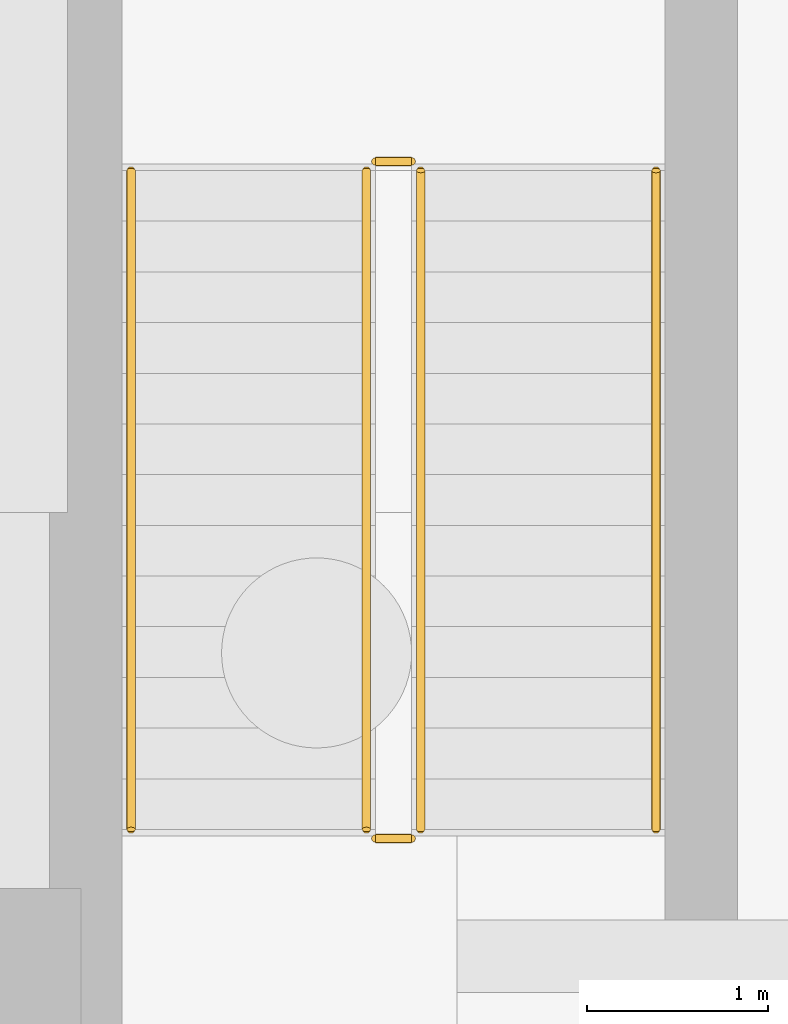
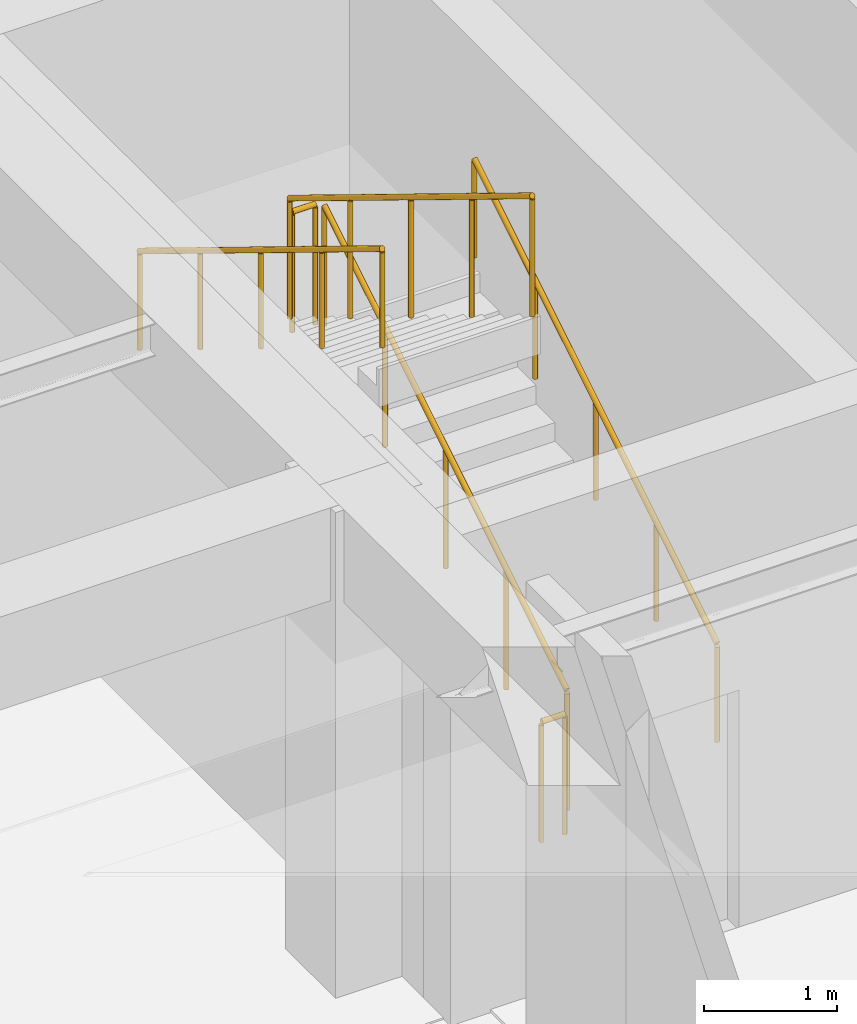
# One storey, part 28 of 29: 6 railings.
"""IFC4 building model written with IfcOpenShell, lengths in metres."""

from ifc_helpers import new_model, si_unit, direction, frame, origin, origin_2d, place, context, subcontext, project, spatial, circle, extrude, material, type_object, element, save


model = new_model("IFC4")

# Units and contexts
model_context = context("Model", 3, precision=1e-05, world=origin(), true_north=direction((0.0, 1.0)))
body_context = subcontext(model_context, "Body", "Model", "MODEL_VIEW")
ifc_project = project(units=[si_unit("LENGTHUNIT", "METRE"), si_unit("AREAUNIT", "SQUARE_METRE"), si_unit("VOLUMEUNIT", "CUBIC_METRE"), si_unit("PLANEANGLEUNIT", "RADIAN"), si_unit("MASSUNIT", "GRAM", prefix="KILO")], contexts=[model_context])

# Site, building, storey
site_placement = place(None, origin())
site = spatial("IfcSite", under=ifc_project, at=site_placement, CompositionType="ELEMENT")
building_placement = place(site_placement, origin())
building = spatial("IfcBuilding", under=site, at=building_placement, Name="Qandaris Square Conservatory and Botanical Centre", CompositionType="ELEMENT")
storey_placement = place(building_placement, frame((0.0, 0.0, -4.800048828125)))
storey = spatial("IfcBuildingStorey", under=building, at=storey_placement, Name="B1", CompositionType="ELEMENT", Elevation=-4.800048828125)

# Railings
ifc_material = material(Name="Stainless Steel", Category="steel")
railing_type_1 = type_object("IfcRailingType", Name="Stair Tubular Handrail 920mm", PredefinedType="HANDRAIL", material=ifc_material)
railing_1_placement = place(storey_placement, frame((150.949951171875, 70.5, 0.343017578125)))
element("IfcRailing", 1, at=railing_1_placement, inside=storey, type_object=railing_type_1, Name="B1 ST-3 stair handrail 1", PredefinedType="HANDRAIL", context=body_context, shape_type="SweptSolid", body=[
    extrude(circle(Radius=0.02392578125, at=origin_2d()), frame((0.0, 0.0, 0.89599609375), z_axis=(0.0, 0.852850264322, 0.5221555579), x_axis=(-1.0, 0.0, 0.0)), (0.0, 0.0, 1.0), 4.267822265625),
    extrude(circle(Radius=0.02099609375, at=origin_2d()), origin(), (0.0, 0.0, 1.0), 0.871826171875),
    extrude(circle(Radius=0.02099609375, at=origin_2d()), frame((0.0, 0.909912109375, 0.55712890625)), (0.0, 0.0, 1.0), 0.871826171875),
    extrude(circle(Radius=0.02099609375, at=origin_2d()), frame((0.0, 1.81982421875, 1.1142578125)), (0.0, 0.0, 1.0), 0.871826171875),
    extrude(circle(Radius=0.02099609375, at=origin_2d()), frame((0.0, 2.72998046875, 1.67138671875)), (0.0, 0.0, 1.0), 0.871826171875),
    extrude(circle(Radius=0.02099609375, at=origin_2d()), frame((0.0, 3.639892578125, 2.228515625)), (0.0, 0.0, 1.0), 0.871826171875),
])
railing_2_placement = place(storey_placement, frame((148.050048828125, 74.139892578125, 2.742919921875)))
element("IfcRailing", 2, at=railing_2_placement, inside=storey, type_object=railing_type_1, Name="B1 ST-3 stair handrail 2", PredefinedType="HANDRAIL", context=body_context, shape_type="SweptSolid", body=[
    extrude(circle(Radius=0.02392578125, at=origin_2d()), frame((0.0, 0.0, 0.89599609375), z_axis=(0.0, -0.852850264322, 0.5221555579), x_axis=(1.0, 0.0, 0.0)), (0.0, 0.0, 1.0), 4.267822265625),
    extrude(circle(Radius=0.02099609375, at=origin_2d()), origin(), (0.0, 0.0, 1.0), 0.871826171875),
    extrude(circle(Radius=0.02099609375, at=origin_2d()), frame((0.0, -0.909912109375, 0.55712890625)), (0.0, 0.0, 1.0), 0.871826171875),
    extrude(circle(Radius=0.02099609375, at=origin_2d()), frame((0.0, -1.81982421875, 1.1142578125)), (0.0, 0.0, 1.0), 0.871826171875),
    extrude(circle(Radius=0.02099609375, at=origin_2d()), frame((0.0, -2.72998046875, 1.67138671875)), (0.0, 0.0, 1.0), 0.871826171875),
    extrude(circle(Radius=0.02099609375, at=origin_2d()), frame((0.0, -3.639892578125, 2.228515625)), (0.0, 0.0, 1.0), 0.871826171875),
])
railing_type_2 = type_object("IfcRailingType", Name="Stairwell & Atrium Guardrail 1120mm", PredefinedType="GUARDRAIL", material=ifc_material)
railing_3_placement = place(storey_placement, frame((149.64990234375, 70.5, 0.17138671875)))
element("IfcRailing", 3, at=railing_3_placement, inside=storey, type_object=railing_type_2, Name="B1 ST-3 stair guard 1", PredefinedType="GUARDRAIL", context=body_context, shape_type="SweptSolid", body=[
    extrude(circle(Radius=0.02392578125, at=origin_2d()), frame((0.0, 0.0, 1.09619140625), z_axis=(0.0, 0.852824790078, 0.522197163366), x_axis=(-1.0, 0.0, 0.0)), (0.0, 0.0, 1.0), 4.26806640625),
    extrude(circle(Radius=0.02099609375, at=origin_2d()), origin(), (0.0, 0.0, 1.0), 1.072021484375),
    extrude(circle(Radius=0.02099609375, at=origin_2d()), frame((0.0, 0.909912109375, 0.55712890625)), (0.0, 0.0, 1.0), 1.072021484375),
    extrude(circle(Radius=0.02099609375, at=origin_2d()), frame((0.0, 1.81982421875, 1.1142578125)), (0.0, 0.0, 1.0), 1.072021484375),
    extrude(circle(Radius=0.02099609375, at=origin_2d()), frame((0.0, 2.72998046875, 1.671630859375)), (0.0, 0.0, 1.0), 1.072021484375),
    extrude(circle(Radius=0.02099609375, at=origin_2d()), frame((0.0, 3.639892578125, 2.228759765625)), (0.0, 0.0, 1.0), 1.072021484375),
])
railing_4_placement = place(storey_placement, frame((149.60009765625, 74.18994140625, 2.400146484375)))
element("IfcRailing", 4, at=railing_4_placement, inside=storey, type_object=railing_type_2, Name="B1 ST-3 stair guard 2", PredefinedType="GUARDRAIL", context=body_context, shape_type="SweptSolid", body=[
    extrude(circle(Radius=0.02392578125, at=origin_2d()), frame((0.0, 0.0, 1.09619140625), z_axis=(-1.0, 0.0, 0.0), x_axis=(0.0, -1.0, 0.0)), (0.0, 0.0, 1.0), 0.2001953125),
    extrude(circle(Radius=0.02099609375, at=origin_2d()), origin(), (0.0, 0.0, 1.0), 1.072021484375),
    extrude(circle(Radius=0.02099609375, at=origin_2d()), frame((-0.2001953125, 0.0, 0.0)), (0.0, 0.0, 1.0), 1.072021484375),
])
railing_5_placement = place(storey_placement, frame((149.35009765625, 74.139892578125, 2.571533203125)))
element("IfcRailing", 5, at=railing_5_placement, inside=storey, type_object=railing_type_2, Name="B1 ST-3 stair guard 3", PredefinedType="GUARDRAIL", context=body_context, shape_type="SweptSolid", body=[
    extrude(circle(Radius=0.02392578125, at=origin_2d()), frame((0.0, 0.0, 1.09619140625), z_axis=(0.0, -0.852850264322, 0.5221555579), x_axis=(1.0, 0.0, 0.0)), (0.0, 0.0, 1.0), 4.267822265625),
    extrude(circle(Radius=0.02099609375, at=origin_2d()), origin(), (0.0, 0.0, 1.0), 1.072021484375),
    extrude(circle(Radius=0.02099609375, at=origin_2d()), frame((0.0, -0.909912109375, 0.55712890625)), (0.0, 0.0, 1.0), 1.072021484375),
    extrude(circle(Radius=0.02099609375, at=origin_2d()), frame((0.0, -1.81982421875, 1.1142578125)), (0.0, 0.0, 1.0), 1.072021484375),
    extrude(circle(Radius=0.02099609375, at=origin_2d()), frame((0.0, -2.72998046875, 1.67138671875)), (0.0, 0.0, 1.0), 1.072021484375),
    extrude(circle(Radius=0.02099609375, at=origin_2d()), frame((0.0, -3.639892578125, 2.228515625)), (0.0, 0.0, 1.0), 1.072021484375),
])
railing_6_placement = place(storey_placement, frame((149.60009765625, 70.449951171875, 0.0)))
element("IfcRailing", 6, at=railing_6_placement, inside=storey, type_object=railing_type_2, Name="B1 ST-3 stair guard 4", PredefinedType="GUARDRAIL", context=body_context, shape_type="SweptSolid", body=[
    extrude(circle(Radius=0.02392578125, at=origin_2d()), frame((0.0, 0.0, 1.09619140625), z_axis=(-1.0, 0.0, 0.0), x_axis=(0.0, -1.0, 0.0)), (0.0, 0.0, 1.0), 0.2001953125),
    extrude(circle(Radius=0.02099609375, at=origin_2d()), origin(), (0.0, 0.0, 1.0), 1.072021484375),
    extrude(circle(Radius=0.02099609375, at=origin_2d()), frame((-0.2001953125, 0.0, 0.0)), (0.0, 0.0, 1.0), 1.072021484375),
])

save(model, "model.ifc")
